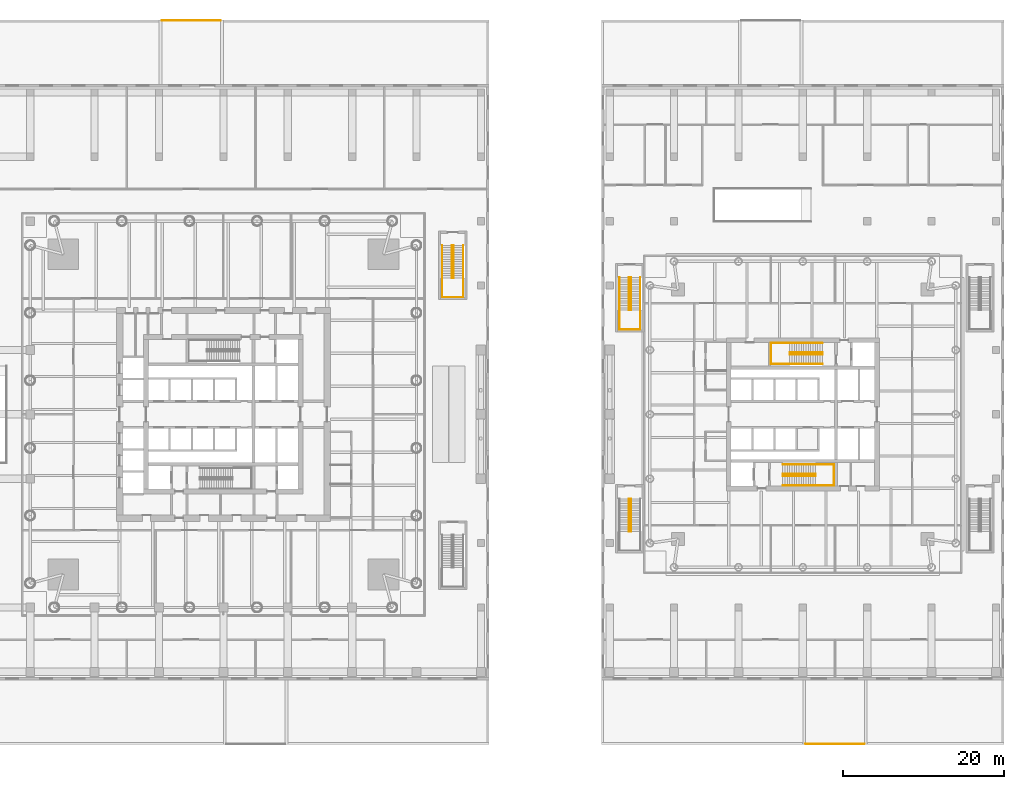
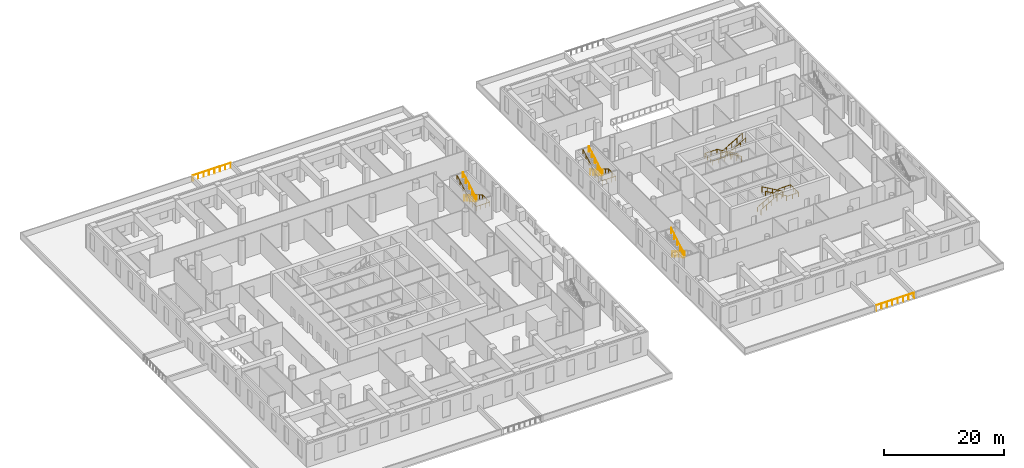
# One storey, part 24 of 26: 11 railings.
"""IFC4 building model written with IfcOpenShell, lengths in metres."""

from ifc_helpers import new_model, si_unit, direction, frame, origin, origin_2d, place, context, subcontext, project, spatial, circle, extrude, material, type_object, element, save


model = new_model("IFC4")

# Units and contexts
model_context = context("Model", 3, precision=1e-05, world=origin(), true_north=direction((0.0, 1.0)))
body_context = subcontext(model_context, "Body", "Model", "MODEL_VIEW")
ifc_project = project(units=[si_unit("LENGTHUNIT", "METRE"), si_unit("AREAUNIT", "SQUARE_METRE"), si_unit("VOLUMEUNIT", "CUBIC_METRE"), si_unit("PLANEANGLEUNIT", "RADIAN"), si_unit("MASSUNIT", "GRAM", prefix="KILO")], contexts=[model_context])

# Site, building, storey
site_placement = place(None, origin())
site = spatial("IfcSite", under=ifc_project, at=site_placement, CompositionType="ELEMENT")
building_placement = place(site_placement, origin())
building = spatial("IfcBuilding", under=site, at=building_placement, Name="Ostroluk Exchange", CompositionType="ELEMENT")
storey_placement = place(building_placement, frame((0.0, 0.0, 6.0)))
storey = spatial("IfcBuildingStorey", under=building, at=storey_placement, Name="L01", CompositionType="ELEMENT", Elevation=6.0)

# Railings
ifc_material_1 = material(Name="Stainless steel", Category="steel")
railing_type_1 = type_object("IfcRailingType", Name="Guard 1100 stainless steel", PredefinedType="GUARDRAIL", material=ifc_material_1)
railing_1_placement = place(storey_placement, frame((37.35205078125, 94.949951171875, 0.0)))
element("IfcRailing", 1, at=railing_1_placement, inside=storey, type_object=railing_type_1, Name="Terrace guard L01 1.1", PredefinedType="GUARDRAIL", context=body_context, shape_type="SweptSolid", body=[
    extrude(circle(Radius=0.02392578125, at=origin_2d()), frame((0.0, 0.0, 1.076171875), z_axis=(1.0, 0.0, 0.0), x_axis=(0.0, 1.0, 0.0)), (0.0, 0.0, 1.0), 7.2958984375),
    extrude(circle(Radius=0.02099609375, at=origin_2d()), origin(), (0.0, 0.0, 1.0), 1.052001953125),
    extrude(circle(Radius=0.02099609375, at=origin_2d()), frame((1.042236328125, 0.0, 0.0)), (0.0, 0.0, 1.0), 1.052001953125),
    extrude(circle(Radius=0.02099609375, at=origin_2d()), frame((2.08447265625, 0.0, 0.0)), (0.0, 0.0, 1.0), 1.052001953125),
    extrude(circle(Radius=0.02099609375, at=origin_2d()), frame((3.126708984375, 0.0, 0.0)), (0.0, 0.0, 1.0), 1.052001953125),
    extrude(circle(Radius=0.02099609375, at=origin_2d()), frame((4.169189453125, 0.0, 0.0)), (0.0, 0.0, 1.0), 1.052001953125),
    extrude(circle(Radius=0.02099609375, at=origin_2d()), frame((5.21142578125, 0.0, 0.0)), (0.0, 0.0, 1.0), 1.052001953125),
    extrude(circle(Radius=0.02099609375, at=origin_2d()), frame((6.253662109375, 0.0, 0.0)), (0.0, 0.0, 1.0), 1.052001953125),
    extrude(circle(Radius=0.02099609375, at=origin_2d()), frame((7.2958984375, 0.0, 0.0)), (0.0, 0.0, 1.0), 1.052001953125),
])
railing_2_placement = place(storey_placement, frame((124.64794921875, 5.050048828125, 0.0)))
element("IfcRailing", 2, at=railing_2_placement, inside=storey, type_object=railing_type_1, Name="Terrace guard L01 1.1", PredefinedType="GUARDRAIL", context=body_context, shape_type="SweptSolid", body=[
    extrude(circle(Radius=0.02392578125, at=origin_2d()), frame((0.0, 0.0, 1.076171875), z_axis=(-1.0, 0.0, 0.0), x_axis=(0.0, -1.0, 0.0)), (0.0, 0.0, 1.0), 7.2958984375),
    extrude(circle(Radius=0.02099609375, at=origin_2d()), origin(), (0.0, 0.0, 1.0), 1.052001953125),
    extrude(circle(Radius=0.02099609375, at=origin_2d()), frame((-1.042236328125, 0.0, 0.0)), (0.0, 0.0, 1.0), 1.052001953125),
    extrude(circle(Radius=0.02099609375, at=origin_2d()), frame((-2.08447265625, 0.0, 0.0)), (0.0, 0.0, 1.0), 1.052001953125),
    extrude(circle(Radius=0.02099609375, at=origin_2d()), frame((-3.126708984375, 0.0, 0.0)), (0.0, 0.0, 1.0), 1.052001953125),
    extrude(circle(Radius=0.02099609375, at=origin_2d()), frame((-4.169189453125, 0.0, 0.0)), (0.0, 0.0, 1.0), 1.052001953125),
    extrude(circle(Radius=0.02099609375, at=origin_2d()), frame((-5.21142578125, 0.0, 0.0)), (0.0, 0.0, 1.0), 1.052001953125),
    extrude(circle(Radius=0.02099609375, at=origin_2d()), frame((-6.253662109375, 0.0, 0.0)), (0.0, 0.0, 1.0), 1.052001953125),
    extrude(circle(Radius=0.02099609375, at=origin_2d()), frame((-7.2958984375, 0.0, 0.0)), (0.0, 0.0, 1.0), 1.052001953125),
])
ifc_material_2 = material(Name="Steel S355", Category="steel")
railing_type_2 = type_object("IfcRailingType", Name="Stair guard 1100", PredefinedType="GUARDRAIL", material=ifc_material_2)
railing_3_placement = place(storey_placement, frame((114.5, 38.580078125, 0.166748046875)))
element("IfcRailing", 3, at=railing_3_placement, inside=storey, type_object=railing_type_2, Name="Stair T2-S1 guard L01", PredefinedType="GUARDRAIL", context=body_context, shape_type="SweptSolid", body=[
    extrude(circle(Radius=0.02392578125, at=origin_2d()), frame((0.0, 0.0, 1.076171875), z_axis=(0.867024558463, 0.0, 0.498265406207), x_axis=(0.0, 1.0, 0.0)), (0.0, 0.0, 1.0), 4.682861328125),
    extrude(circle(Radius=0.02392578125, at=origin_2d()), frame((4.06005859375, 0.0, 3.4091796875), z_axis=(0.0, -1.0, 0.0), x_axis=(1.0, 0.0, 0.0)), (0.0, 0.0, 1.0), 0.260009765625),
    extrude(circle(Radius=0.02392578125, at=origin_2d()), frame((4.06005859375, -0.260009765625, 3.4091796875), z_axis=(0.0, 0.0, 1.0), x_axis=(1.0, 0.0, 0.0)), (0.0, 0.0, 1.0), 0.166748046875),
    extrude(circle(Radius=0.02392578125, at=origin_2d()), frame((4.06005859375, -0.260009765625, 3.576171875), z_axis=(-0.867024558463, 0.0, 0.498265406207), x_axis=(0.0, -1.0, 0.0)), (0.0, 0.0, 1.0), 4.682861328125),
    extrude(circle(Radius=0.02099609375, at=origin_2d()), origin(), (0.0, 0.0, 1.0), 1.052001953125),
    extrude(circle(Radius=0.02099609375, at=origin_2d()), frame((1.01513671875, 0.0, 0.583251953125)), (0.0, 0.0, 1.0), 1.052001953125),
    extrude(circle(Radius=0.02099609375, at=origin_2d()), frame((2.030029296875, 0.0, 1.16650390625)), (0.0, 0.0, 1.0), 1.052001953125),
    extrude(circle(Radius=0.02099609375, at=origin_2d()), frame((3.044921875, 0.0, 1.75)), (0.0, 0.0, 1.0), 1.052001953125),
    extrude(circle(Radius=0.02099609375, at=origin_2d()), frame((4.06005859375, 0.0, 2.333251953125)), (0.0, 0.0, 1.0), 1.052001953125),
    extrude(circle(Radius=0.02099609375, at=origin_2d()), frame((4.06005859375, -0.260009765625, 2.333251953125)), (0.0, 0.0, 1.0), 1.052001953125),
    extrude(circle(Radius=0.02099609375, at=origin_2d()), frame((4.06005859375, -0.260009765625, 2.5)), (0.0, 0.0, 1.0), 1.052001953125),
    extrude(circle(Radius=0.02099609375, at=origin_2d()), frame((3.044921875, -0.260009765625, 3.083251953125)), (0.0, 0.0, 1.0), 1.052001953125),
    extrude(circle(Radius=0.02099609375, at=origin_2d()), frame((2.030029296875, -0.260009765625, 3.66650390625)), (0.0, 0.0, 1.0), 1.052001953125),
    extrude(circle(Radius=0.02099609375, at=origin_2d()), frame((1.01513671875, -0.260009765625, 4.25)), (0.0, 0.0, 1.0), 1.052001953125),
    extrude(circle(Radius=0.02099609375, at=origin_2d()), frame((0.0, -0.260009765625, 4.833251953125)), (0.0, 0.0, 1.0), 1.052001953125),
])
railing_4_placement = place(storey_placement, frame((119.429931640625, 53.679931640625, 0.166748046875)))
element("IfcRailing", 4, at=railing_4_placement, inside=storey, type_object=railing_type_2, Name="Stair T2-S2 guard L01", PredefinedType="GUARDRAIL", context=body_context, shape_type="SweptSolid", body=[
    extrude(circle(Radius=0.02392578125, at=origin_2d()), frame((0.0, 0.0, 1.076171875), z_axis=(-0.86701161382, 0.0, 0.498287930319), x_axis=(0.0, -1.0, 0.0)), (0.0, 0.0, 1.0), 4.6826171875),
    extrude(circle(Radius=0.02392578125, at=origin_2d()), frame((-4.059814453125, 0.0, 3.4091796875), z_axis=(0.0, -1.0, 0.0), x_axis=(1.0, 0.0, 0.0)), (0.0, 0.0, 1.0), 0.260009765625),
    extrude(circle(Radius=0.02392578125, at=origin_2d()), frame((-4.059814453125, -0.260009765625, 3.4091796875), z_axis=(0.0, 0.0, 1.0), x_axis=(1.0, 0.0, 0.0)), (0.0, 0.0, 1.0), 0.166748046875),
    extrude(circle(Radius=0.02392578125, at=origin_2d()), frame((-4.059814453125, -0.260009765625, 3.576171875), z_axis=(0.86701161382, 0.0, 0.498287930319), x_axis=(0.0, 1.0, 0.0)), (0.0, 0.0, 1.0), 4.6826171875),
    extrude(circle(Radius=0.02099609375, at=origin_2d()), origin(), (0.0, 0.0, 1.0), 1.052001953125),
    extrude(circle(Radius=0.02099609375, at=origin_2d()), frame((-1.014892578125, 0.0, 0.583251953125)), (0.0, 0.0, 1.0), 1.052001953125),
    extrude(circle(Radius=0.02099609375, at=origin_2d()), frame((-2.02978515625, 0.0, 1.16650390625)), (0.0, 0.0, 1.0), 1.052001953125),
    extrude(circle(Radius=0.02099609375, at=origin_2d()), frame((-3.044921875, 0.0, 1.75)), (0.0, 0.0, 1.0), 1.052001953125),
    extrude(circle(Radius=0.02099609375, at=origin_2d()), frame((-4.059814453125, 0.0, 2.333251953125)), (0.0, 0.0, 1.0), 1.052001953125),
    extrude(circle(Radius=0.02099609375, at=origin_2d()), frame((-4.059814453125, -0.260009765625, 2.333251953125)), (0.0, 0.0, 1.0), 1.052001953125),
    extrude(circle(Radius=0.02099609375, at=origin_2d()), frame((-4.059814453125, -0.260009765625, 2.5)), (0.0, 0.0, 1.0), 1.052001953125),
    extrude(circle(Radius=0.02099609375, at=origin_2d()), frame((-3.044921875, -0.260009765625, 3.083251953125)), (0.0, 0.0, 1.0), 1.052001953125),
    extrude(circle(Radius=0.02099609375, at=origin_2d()), frame((-2.02978515625, -0.260009765625, 3.66650390625)), (0.0, 0.0, 1.0), 1.052001953125),
    extrude(circle(Radius=0.02099609375, at=origin_2d()), frame((-1.014892578125, -0.260009765625, 4.25)), (0.0, 0.0, 1.0), 1.052001953125),
    extrude(circle(Radius=0.02099609375, at=origin_2d()), frame((0.0, -0.260009765625, 4.833251953125)), (0.0, 0.0, 1.0), 1.052001953125),
])
railing_5_placement = place(storey_placement, frame((73.6298828125, 67.0, 0.166748046875)))
element("IfcRailing", 5, at=railing_5_placement, inside=storey, type_object=railing_type_2, Name="Stair PS4 guard L01", PredefinedType="GUARDRAIL", context=body_context, shape_type="SweptSolid", body=[
    extrude(circle(Radius=0.02392578125, at=origin_2d()), frame((0.0, 0.0, 1.076171875), z_axis=(0.0, -0.867024558463, 0.498265406207), x_axis=(1.0, 0.0, 0.0)), (0.0, 0.0, 1.0), 4.682861328125),
    extrude(circle(Radius=0.02392578125, at=origin_2d()), frame((0.0, -4.06005859375, 3.4091796875), z_axis=(-1.0, 0.0, 0.0), x_axis=(0.0, -1.0, 0.0)), (0.0, 0.0, 1.0), 0.259765625),
    extrude(circle(Radius=0.02392578125, at=origin_2d()), frame((-0.259765625, -4.06005859375, 3.4091796875), z_axis=(0.0, 0.0, 1.0), x_axis=(1.0, 0.0, 0.0)), (0.0, 0.0, 1.0), 0.166748046875),
    extrude(circle(Radius=0.02392578125, at=origin_2d()), frame((-0.259765625, -4.06005859375, 3.576171875), z_axis=(0.0, 0.867024558463, 0.498265406207), x_axis=(-1.0, 0.0, 0.0)), (0.0, 0.0, 1.0), 4.682861328125),
    extrude(circle(Radius=0.02099609375, at=origin_2d()), origin(), (0.0, 0.0, 1.0), 1.052001953125),
    extrude(circle(Radius=0.02099609375, at=origin_2d()), frame((0.0, -1.01513671875, 0.583251953125)), (0.0, 0.0, 1.0), 1.052001953125),
    extrude(circle(Radius=0.02099609375, at=origin_2d()), frame((0.0, -2.030029296875, 1.16650390625)), (0.0, 0.0, 1.0), 1.052001953125),
    extrude(circle(Radius=0.02099609375, at=origin_2d()), frame((0.0, -3.044921875, 1.75)), (0.0, 0.0, 1.0), 1.052001953125),
    extrude(circle(Radius=0.02099609375, at=origin_2d()), frame((0.0, -4.06005859375, 2.333251953125)), (0.0, 0.0, 1.0), 1.052001953125),
    extrude(circle(Radius=0.02099609375, at=origin_2d()), frame((-0.259765625, -4.06005859375, 2.333251953125)), (0.0, 0.0, 1.0), 1.052001953125),
    extrude(circle(Radius=0.02099609375, at=origin_2d()), frame((-0.259765625, -4.06005859375, 2.5)), (0.0, 0.0, 1.0), 1.052001953125),
    extrude(circle(Radius=0.02099609375, at=origin_2d()), frame((-0.259765625, -3.044921875, 3.083251953125)), (0.0, 0.0, 1.0), 1.052001953125),
    extrude(circle(Radius=0.02099609375, at=origin_2d()), frame((-0.259765625, -2.030029296875, 3.66650390625)), (0.0, 0.0, 1.0), 1.052001953125),
    extrude(circle(Radius=0.02099609375, at=origin_2d()), frame((-0.259765625, -1.01513671875, 4.25)), (0.0, 0.0, 1.0), 1.052001953125),
    extrude(circle(Radius=0.02099609375, at=origin_2d()), frame((-0.259765625, 0.0, 4.833251953125)), (0.0, 0.0, 1.0), 1.052001953125),
])
railing_6_placement = place(storey_placement, frame((95.6298828125, 35.5, 0.166748046875)))
element("IfcRailing", 6, at=railing_6_placement, inside=storey, type_object=railing_type_2, Name="Stair PS5 guard L01", PredefinedType="GUARDRAIL", context=body_context, shape_type="SweptSolid", body=[
    extrude(circle(Radius=0.02392578125, at=origin_2d()), frame((0.0, 0.0, 1.076171875), z_axis=(0.0, -0.867024558463, 0.498265406207), x_axis=(1.0, 0.0, 0.0)), (0.0, 0.0, 1.0), 4.682861328125),
    extrude(circle(Radius=0.02392578125, at=origin_2d()), frame((0.0, -4.06005859375, 3.4091796875), z_axis=(-1.0, 0.0, 0.0), x_axis=(0.0, -1.0, 0.0)), (0.0, 0.0, 1.0), 0.259765625),
    extrude(circle(Radius=0.02392578125, at=origin_2d()), frame((-0.259765625, -4.06005859375, 3.4091796875), z_axis=(0.0, 0.0, 1.0), x_axis=(1.0, 0.0, 0.0)), (0.0, 0.0, 1.0), 0.166748046875),
    extrude(circle(Radius=0.02392578125, at=origin_2d()), frame((-0.259765625, -4.06005859375, 3.576171875), z_axis=(0.0, 0.867024558463, 0.498265406207), x_axis=(-1.0, 0.0, 0.0)), (0.0, 0.0, 1.0), 4.682861328125),
    extrude(circle(Radius=0.02099609375, at=origin_2d()), origin(), (0.0, 0.0, 1.0), 1.052001953125),
    extrude(circle(Radius=0.02099609375, at=origin_2d()), frame((0.0, -1.01513671875, 0.583251953125)), (0.0, 0.0, 1.0), 1.052001953125),
    extrude(circle(Radius=0.02099609375, at=origin_2d()), frame((0.0, -2.030029296875, 1.16650390625)), (0.0, 0.0, 1.0), 1.052001953125),
    extrude(circle(Radius=0.02099609375, at=origin_2d()), frame((0.0, -3.044921875, 1.75)), (0.0, 0.0, 1.0), 1.052001953125),
    extrude(circle(Radius=0.02099609375, at=origin_2d()), frame((0.0, -4.06005859375, 2.333251953125)), (0.0, 0.0, 1.0), 1.052001953125),
    extrude(circle(Radius=0.02099609375, at=origin_2d()), frame((-0.259765625, -4.06005859375, 2.333251953125)), (0.0, 0.0, 1.0), 1.052001953125),
    extrude(circle(Radius=0.02099609375, at=origin_2d()), frame((-0.259765625, -4.06005859375, 2.5)), (0.0, 0.0, 1.0), 1.052001953125),
    extrude(circle(Radius=0.02099609375, at=origin_2d()), frame((-0.259765625, -3.044921875, 3.083251953125)), (0.0, 0.0, 1.0), 1.052001953125),
    extrude(circle(Radius=0.02099609375, at=origin_2d()), frame((-0.259765625, -2.030029296875, 3.66650390625)), (0.0, 0.0, 1.0), 1.052001953125),
    extrude(circle(Radius=0.02099609375, at=origin_2d()), frame((-0.259765625, -1.01513671875, 4.25)), (0.0, 0.0, 1.0), 1.052001953125),
    extrude(circle(Radius=0.02099609375, at=origin_2d()), frame((-0.259765625, 0.0, 4.833251953125)), (0.0, 0.0, 1.0), 1.052001953125),
])
railing_7_placement = place(storey_placement, frame((95.6298828125, 63.0, 0.166748046875)))
element("IfcRailing", 7, at=railing_7_placement, inside=storey, type_object=railing_type_2, Name="Stair PS6 guard L01", PredefinedType="GUARDRAIL", context=body_context, shape_type="SweptSolid", body=[
    extrude(circle(Radius=0.02392578125, at=origin_2d()), frame((0.0, 0.0, 1.076171875), z_axis=(0.0, -0.867024558463, 0.498265406207), x_axis=(1.0, 0.0, 0.0)), (0.0, 0.0, 1.0), 4.682861328125),
    extrude(circle(Radius=0.02392578125, at=origin_2d()), frame((0.0, -4.06005859375, 3.4091796875), z_axis=(-1.0, 0.0, 0.0), x_axis=(0.0, -1.0, 0.0)), (0.0, 0.0, 1.0), 0.259765625),
    extrude(circle(Radius=0.02392578125, at=origin_2d()), frame((-0.259765625, -4.06005859375, 3.4091796875), z_axis=(0.0, 0.0, 1.0), x_axis=(1.0, 0.0, 0.0)), (0.0, 0.0, 1.0), 0.166748046875),
    extrude(circle(Radius=0.02392578125, at=origin_2d()), frame((-0.259765625, -4.06005859375, 3.576171875), z_axis=(0.0, 0.867024558463, 0.498265406207), x_axis=(-1.0, 0.0, 0.0)), (0.0, 0.0, 1.0), 4.682861328125),
    extrude(circle(Radius=0.02099609375, at=origin_2d()), origin(), (0.0, 0.0, 1.0), 1.052001953125),
    extrude(circle(Radius=0.02099609375, at=origin_2d()), frame((0.0, -1.01513671875, 0.583251953125)), (0.0, 0.0, 1.0), 1.052001953125),
    extrude(circle(Radius=0.02099609375, at=origin_2d()), frame((0.0, -2.030029296875, 1.16650390625)), (0.0, 0.0, 1.0), 1.052001953125),
    extrude(circle(Radius=0.02099609375, at=origin_2d()), frame((0.0, -3.044921875, 1.75)), (0.0, 0.0, 1.0), 1.052001953125),
    extrude(circle(Radius=0.02099609375, at=origin_2d()), frame((0.0, -4.06005859375, 2.333251953125)), (0.0, 0.0, 1.0), 1.052001953125),
    extrude(circle(Radius=0.02099609375, at=origin_2d()), frame((-0.259765625, -4.06005859375, 2.333251953125)), (0.0, 0.0, 1.0), 1.052001953125),
    extrude(circle(Radius=0.02099609375, at=origin_2d()), frame((-0.259765625, -4.06005859375, 2.5)), (0.0, 0.0, 1.0), 1.052001953125),
    extrude(circle(Radius=0.02099609375, at=origin_2d()), frame((-0.259765625, -3.044921875, 3.083251953125)), (0.0, 0.0, 1.0), 1.052001953125),
    extrude(circle(Radius=0.02099609375, at=origin_2d()), frame((-0.259765625, -2.030029296875, 3.66650390625)), (0.0, 0.0, 1.0), 1.052001953125),
    extrude(circle(Radius=0.02099609375, at=origin_2d()), frame((-0.259765625, -1.01513671875, 4.25)), (0.0, 0.0, 1.0), 1.052001953125),
    extrude(circle(Radius=0.02099609375, at=origin_2d()), frame((-0.259765625, 0.0, 4.833251953125)), (0.0, 0.0, 1.0), 1.052001953125),
])
ifc_material_3 = material(Name="Stainless steel", Category="steel")
railing_type_3 = type_object("IfcRailingType", Name="Stair handrail 900", PredefinedType="HANDRAIL", material=ifc_material_3)
railing_8_placement = place(storey_placement, frame((114.5, 39.75, 0.166748046875)))
element("IfcRailing", 8, at=railing_8_placement, inside=storey, type_object=railing_type_3, Name="Stair T2-S1 handrail L01", PredefinedType="HANDRAIL", context=body_context, shape_type="SweptSolid", body=[
    extrude(circle(Radius=0.02392578125, at=origin_2d()), frame((0.0, 0.0, 0.8759765625), z_axis=(0.867024558463, 0.0, 0.498265406207), x_axis=(0.0, 1.0, 0.0)), (0.0, 0.0, 1.0), 4.682861328125),
    extrude(circle(Radius=0.02392578125, at=origin_2d()), frame((4.06005859375, 0.0, 3.208984375), z_axis=(1.0, 0.0, 0.0), x_axis=(0.0, 1.0, 0.0)), (0.0, 0.0, 1.0), 2.31982421875),
    extrude(circle(Radius=0.02392578125, at=origin_2d()), frame((6.3798828125, 0.0, 3.208984375), z_axis=(0.0, -1.0, 0.0), x_axis=(1.0, 0.0, 0.0)), (0.0, 0.0, 1.0), 2.60009765625),
    extrude(circle(Radius=0.02392578125, at=origin_2d()), frame((6.3798828125, -2.60009765625, 3.208984375), z_axis=(-1.0, 0.0, 0.0), x_axis=(0.0, -1.0, 0.0)), (0.0, 0.0, 1.0), 2.31982421875),
    extrude(circle(Radius=0.02392578125, at=origin_2d()), frame((4.06005859375, -2.60009765625, 3.208984375), z_axis=(0.0, 0.0, 1.0), x_axis=(1.0, 0.0, 0.0)), (0.0, 0.0, 1.0), 0.166748046875),
    extrude(circle(Radius=0.02392578125, at=origin_2d()), frame((4.06005859375, -2.60009765625, 3.3759765625), z_axis=(-0.867024558463, 0.0, 0.498265406207), x_axis=(0.0, -1.0, 0.0)), (0.0, 0.0, 1.0), 4.682861328125),
    extrude(circle(Radius=0.02099609375, at=origin_2d()), origin(), (0.0, 0.0, 1.0), 0.851806640625),
    extrude(circle(Radius=0.02099609375, at=origin_2d()), frame((1.01513671875, 0.0, 0.583251953125)), (0.0, 0.0, 1.0), 0.851806640625),
    extrude(circle(Radius=0.02099609375, at=origin_2d()), frame((2.030029296875, 0.0, 1.16650390625)), (0.0, 0.0, 1.0), 0.851806640625),
    extrude(circle(Radius=0.02099609375, at=origin_2d()), frame((3.044921875, 0.0, 1.75)), (0.0, 0.0, 1.0), 0.851806640625),
    extrude(circle(Radius=0.02099609375, at=origin_2d()), frame((4.06005859375, 0.0, 2.333251953125)), (0.0, 0.0, 1.0), 0.851806640625),
    extrude(circle(Radius=0.02099609375, at=origin_2d()), frame((5.219970703125, 0.0, 2.333251953125)), (0.0, 0.0, 1.0), 0.851806640625),
    extrude(circle(Radius=0.02099609375, at=origin_2d()), frame((6.3798828125, 0.0, 2.333251953125)), (0.0, 0.0, 1.0), 0.851806640625),
    extrude(circle(Radius=0.02099609375, at=origin_2d()), frame((6.3798828125, -0.86669921875, 2.333251953125)), (0.0, 0.0, 1.0), 0.851806640625),
    extrude(circle(Radius=0.02099609375, at=origin_2d()), frame((6.3798828125, -1.7333984375, 2.333251953125)), (0.0, 0.0, 1.0), 0.851806640625),
    extrude(circle(Radius=0.02099609375, at=origin_2d()), frame((6.3798828125, -2.60009765625, 2.333251953125)), (0.0, 0.0, 1.0), 0.851806640625),
    extrude(circle(Radius=0.02099609375, at=origin_2d()), frame((5.219970703125, -2.60009765625, 2.333251953125)), (0.0, 0.0, 1.0), 0.851806640625),
    extrude(circle(Radius=0.02099609375, at=origin_2d()), frame((4.06005859375, -2.60009765625, 2.333251953125)), (0.0, 0.0, 1.0), 0.851806640625),
    extrude(circle(Radius=0.02099609375, at=origin_2d()), frame((4.06005859375, -2.60009765625, 2.5)), (0.0, 0.0, 1.0), 0.851806640625),
    extrude(circle(Radius=0.02099609375, at=origin_2d()), frame((3.044921875, -2.60009765625, 3.083251953125)), (0.0, 0.0, 1.0), 0.851806640625),
    extrude(circle(Radius=0.02099609375, at=origin_2d()), frame((2.030029296875, -2.60009765625, 3.66650390625)), (0.0, 0.0, 1.0), 0.851806640625),
    extrude(circle(Radius=0.02099609375, at=origin_2d()), frame((1.01513671875, -2.60009765625, 4.25)), (0.0, 0.0, 1.0), 0.851806640625),
    extrude(circle(Radius=0.02099609375, at=origin_2d()), frame((0.0, -2.60009765625, 4.833251953125)), (0.0, 0.0, 1.0), 0.851806640625),
])
railing_9_placement = place(storey_placement, frame((119.429931640625, 54.85009765625, 0.166748046875)))
element("IfcRailing", 9, at=railing_9_placement, inside=storey, type_object=railing_type_3, Name="Stair T2-S2 handrail L01", PredefinedType="HANDRAIL", context=body_context, shape_type="SweptSolid", body=[
    extrude(circle(Radius=0.02392578125, at=origin_2d()), frame((0.0, 0.0, 0.8759765625), z_axis=(-0.86701161382, 0.0, 0.498287930319), x_axis=(0.0, -1.0, 0.0)), (0.0, 0.0, 1.0), 4.6826171875),
    extrude(circle(Radius=0.02392578125, at=origin_2d()), frame((-4.059814453125, 0.0, 3.208984375), z_axis=(-1.0, 0.0, 0.0), x_axis=(0.0, -1.0, 0.0)), (0.0, 0.0, 1.0), 2.320068359375),
    extrude(circle(Radius=0.02392578125, at=origin_2d()), frame((-6.3798828125, 0.0, 3.208984375), z_axis=(0.0, -1.0, 0.0), x_axis=(1.0, 0.0, 0.0)), (0.0, 0.0, 1.0), 2.60009765625),
    extrude(circle(Radius=0.02392578125, at=origin_2d()), frame((-6.3798828125, -2.60009765625, 3.208984375), z_axis=(1.0, 0.0, 0.0), x_axis=(0.0, 1.0, 0.0)), (0.0, 0.0, 1.0), 2.320068359375),
    extrude(circle(Radius=0.02392578125, at=origin_2d()), frame((-4.059814453125, -2.60009765625, 3.208984375), z_axis=(0.0, 0.0, 1.0), x_axis=(1.0, 0.0, 0.0)), (0.0, 0.0, 1.0), 0.166748046875),
    extrude(circle(Radius=0.02392578125, at=origin_2d()), frame((-4.059814453125, -2.60009765625, 3.3759765625), z_axis=(0.86701161382, 0.0, 0.498287930319), x_axis=(0.0, 1.0, 0.0)), (0.0, 0.0, 1.0), 4.6826171875),
    extrude(circle(Radius=0.02099609375, at=origin_2d()), origin(), (0.0, 0.0, 1.0), 0.851806640625),
    extrude(circle(Radius=0.02099609375, at=origin_2d()), frame((-1.014892578125, 0.0, 0.583251953125)), (0.0, 0.0, 1.0), 0.851806640625),
    extrude(circle(Radius=0.02099609375, at=origin_2d()), frame((-2.02978515625, 0.0, 1.16650390625)), (0.0, 0.0, 1.0), 0.851806640625),
    extrude(circle(Radius=0.02099609375, at=origin_2d()), frame((-3.044921875, 0.0, 1.75)), (0.0, 0.0, 1.0), 0.851806640625),
    extrude(circle(Radius=0.02099609375, at=origin_2d()), frame((-4.059814453125, 0.0, 2.333251953125)), (0.0, 0.0, 1.0), 0.851806640625),
    extrude(circle(Radius=0.02099609375, at=origin_2d()), frame((-5.2197265625, 0.0, 2.333251953125)), (0.0, 0.0, 1.0), 0.851806640625),
    extrude(circle(Radius=0.02099609375, at=origin_2d()), frame((-6.3798828125, 0.0, 2.333251953125)), (0.0, 0.0, 1.0), 0.851806640625),
    extrude(circle(Radius=0.02099609375, at=origin_2d()), frame((-6.3798828125, -0.86669921875, 2.333251953125)), (0.0, 0.0, 1.0), 0.851806640625),
    extrude(circle(Radius=0.02099609375, at=origin_2d()), frame((-6.3798828125, -1.7333984375, 2.333251953125)), (0.0, 0.0, 1.0), 0.851806640625),
    extrude(circle(Radius=0.02099609375, at=origin_2d()), frame((-6.3798828125, -2.60009765625, 2.333251953125)), (0.0, 0.0, 1.0), 0.851806640625),
    extrude(circle(Radius=0.02099609375, at=origin_2d()), frame((-5.2197265625, -2.60009765625, 2.333251953125)), (0.0, 0.0, 1.0), 0.851806640625),
    extrude(circle(Radius=0.02099609375, at=origin_2d()), frame((-4.059814453125, -2.60009765625, 2.333251953125)), (0.0, 0.0, 1.0), 0.851806640625),
    extrude(circle(Radius=0.02099609375, at=origin_2d()), frame((-4.059814453125, -2.60009765625, 2.5)), (0.0, 0.0, 1.0), 0.851806640625),
    extrude(circle(Radius=0.02099609375, at=origin_2d()), frame((-3.044921875, -2.60009765625, 3.083251953125)), (0.0, 0.0, 1.0), 0.851806640625),
    extrude(circle(Radius=0.02099609375, at=origin_2d()), frame((-2.02978515625, -2.60009765625, 3.66650390625)), (0.0, 0.0, 1.0), 0.851806640625),
    extrude(circle(Radius=0.02099609375, at=origin_2d()), frame((-1.014892578125, -2.60009765625, 4.25)), (0.0, 0.0, 1.0), 0.851806640625),
    extrude(circle(Radius=0.02099609375, at=origin_2d()), frame((0.0, -2.60009765625, 4.833251953125)), (0.0, 0.0, 1.0), 0.851806640625),
])
railing_10_placement = place(storey_placement, frame((74.800048828125, 67.0, 0.166748046875)))
element("IfcRailing", 10, at=railing_10_placement, inside=storey, type_object=railing_type_3, Name="Stair PS4 handrail L01", PredefinedType="HANDRAIL", context=body_context, shape_type="SweptSolid", body=[
    extrude(circle(Radius=0.02392578125, at=origin_2d()), frame((0.0, 0.0, 0.8759765625), z_axis=(0.0, -0.867024558463, 0.498265406207), x_axis=(1.0, 0.0, 0.0)), (0.0, 0.0, 1.0), 4.682861328125),
    extrude(circle(Radius=0.02392578125, at=origin_2d()), frame((0.0, -4.06005859375, 3.208984375), z_axis=(0.0, -1.0, 0.0), x_axis=(1.0, 0.0, 0.0)), (0.0, 0.0, 1.0), 2.389892578125),
    extrude(circle(Radius=0.02392578125, at=origin_2d()), frame((0.0, -6.449951171875, 3.208984375), z_axis=(-1.0, 0.0, 0.0), x_axis=(0.0, -1.0, 0.0)), (0.0, 0.0, 1.0), 2.60009765625),
    extrude(circle(Radius=0.02392578125, at=origin_2d()), frame((-2.60009765625, -6.449951171875, 3.208984375), z_axis=(0.0, 1.0, 0.0), x_axis=(-1.0, 0.0, 0.0)), (0.0, 0.0, 1.0), 2.389892578125),
    extrude(circle(Radius=0.02392578125, at=origin_2d()), frame((-2.60009765625, -4.06005859375, 3.208984375), z_axis=(0.0, 0.0, 1.0), x_axis=(1.0, 0.0, 0.0)), (0.0, 0.0, 1.0), 0.166748046875),
    extrude(circle(Radius=0.02392578125, at=origin_2d()), frame((-2.60009765625, -4.06005859375, 3.3759765625), z_axis=(0.0, 0.867024558463, 0.498265406207), x_axis=(-1.0, 0.0, 0.0)), (0.0, 0.0, 1.0), 4.682861328125),
    extrude(circle(Radius=0.02099609375, at=origin_2d()), origin(), (0.0, 0.0, 1.0), 0.851806640625),
    extrude(circle(Radius=0.02099609375, at=origin_2d()), frame((0.0, -1.01513671875, 0.583251953125)), (0.0, 0.0, 1.0), 0.851806640625),
    extrude(circle(Radius=0.02099609375, at=origin_2d()), frame((0.0, -2.030029296875, 1.16650390625)), (0.0, 0.0, 1.0), 0.851806640625),
    extrude(circle(Radius=0.02099609375, at=origin_2d()), frame((0.0, -3.044921875, 1.75)), (0.0, 0.0, 1.0), 0.851806640625),
    extrude(circle(Radius=0.02099609375, at=origin_2d()), frame((0.0, -4.06005859375, 2.333251953125)), (0.0, 0.0, 1.0), 0.851806640625),
    extrude(circle(Radius=0.02099609375, at=origin_2d()), frame((0.0, -5.2548828125, 2.333251953125)), (0.0, 0.0, 1.0), 0.851806640625),
    extrude(circle(Radius=0.02099609375, at=origin_2d()), frame((0.0, -6.449951171875, 2.333251953125)), (0.0, 0.0, 1.0), 0.851806640625),
    extrude(circle(Radius=0.02099609375, at=origin_2d()), frame((-0.86669921875, -6.449951171875, 2.333251953125)), (0.0, 0.0, 1.0), 0.851806640625),
    extrude(circle(Radius=0.02099609375, at=origin_2d()), frame((-1.7333984375, -6.449951171875, 2.333251953125)), (0.0, 0.0, 1.0), 0.851806640625),
    extrude(circle(Radius=0.02099609375, at=origin_2d()), frame((-2.60009765625, -6.449951171875, 2.333251953125)), (0.0, 0.0, 1.0), 0.851806640625),
    extrude(circle(Radius=0.02099609375, at=origin_2d()), frame((-2.60009765625, -5.2548828125, 2.333251953125)), (0.0, 0.0, 1.0), 0.851806640625),
    extrude(circle(Radius=0.02099609375, at=origin_2d()), frame((-2.60009765625, -4.06005859375, 2.333251953125)), (0.0, 0.0, 1.0), 0.851806640625),
    extrude(circle(Radius=0.02099609375, at=origin_2d()), frame((-2.60009765625, -4.06005859375, 2.5)), (0.0, 0.0, 1.0), 0.851806640625),
    extrude(circle(Radius=0.02099609375, at=origin_2d()), frame((-2.60009765625, -3.044921875, 3.083251953125)), (0.0, 0.0, 1.0), 0.851806640625),
    extrude(circle(Radius=0.02099609375, at=origin_2d()), frame((-2.60009765625, -2.030029296875, 3.66650390625)), (0.0, 0.0, 1.0), 0.851806640625),
    extrude(circle(Radius=0.02099609375, at=origin_2d()), frame((-2.60009765625, -1.01513671875, 4.25)), (0.0, 0.0, 1.0), 0.851806640625),
    extrude(circle(Radius=0.02099609375, at=origin_2d()), frame((-2.60009765625, 0.0, 4.833251953125)), (0.0, 0.0, 1.0), 0.851806640625),
])
railing_11_placement = place(storey_placement, frame((96.800048828125, 63.0, 0.166748046875)))
element("IfcRailing", 11, at=railing_11_placement, inside=storey, type_object=railing_type_3, Name="Stair PS6 handrail L01", PredefinedType="HANDRAIL", context=body_context, shape_type="SweptSolid", body=[
    extrude(circle(Radius=0.02392578125, at=origin_2d()), frame((0.0, 0.0, 0.8759765625), z_axis=(0.0, -0.867024558463, 0.498265406207), x_axis=(1.0, 0.0, 0.0)), (0.0, 0.0, 1.0), 4.682861328125),
    extrude(circle(Radius=0.02392578125, at=origin_2d()), frame((0.0, -4.06005859375, 3.208984375), z_axis=(0.0, -1.0, 0.0), x_axis=(1.0, 0.0, 0.0)), (0.0, 0.0, 1.0), 2.389892578125),
    extrude(circle(Radius=0.02392578125, at=origin_2d()), frame((0.0, -6.449951171875, 3.208984375), z_axis=(-1.0, 0.0, 0.0), x_axis=(0.0, -1.0, 0.0)), (0.0, 0.0, 1.0), 2.60009765625),
    extrude(circle(Radius=0.02392578125, at=origin_2d()), frame((-2.60009765625, -6.449951171875, 3.208984375), z_axis=(0.0, 1.0, 0.0), x_axis=(-1.0, 0.0, 0.0)), (0.0, 0.0, 1.0), 2.389892578125),
    extrude(circle(Radius=0.02392578125, at=origin_2d()), frame((-2.60009765625, -4.06005859375, 3.208984375), z_axis=(0.0, 0.0, 1.0), x_axis=(1.0, 0.0, 0.0)), (0.0, 0.0, 1.0), 0.166748046875),
    extrude(circle(Radius=0.02392578125, at=origin_2d()), frame((-2.60009765625, -4.06005859375, 3.3759765625), z_axis=(0.0, 0.867024558463, 0.498265406207), x_axis=(-1.0, 0.0, 0.0)), (0.0, 0.0, 1.0), 4.682861328125),
    extrude(circle(Radius=0.02099609375, at=origin_2d()), origin(), (0.0, 0.0, 1.0), 0.851806640625),
    extrude(circle(Radius=0.02099609375, at=origin_2d()), frame((0.0, -1.01513671875, 0.583251953125)), (0.0, 0.0, 1.0), 0.851806640625),
    extrude(circle(Radius=0.02099609375, at=origin_2d()), frame((0.0, -2.030029296875, 1.16650390625)), (0.0, 0.0, 1.0), 0.851806640625),
    extrude(circle(Radius=0.02099609375, at=origin_2d()), frame((0.0, -3.044921875, 1.75)), (0.0, 0.0, 1.0), 0.851806640625),
    extrude(circle(Radius=0.02099609375, at=origin_2d()), frame((0.0, -4.06005859375, 2.333251953125)), (0.0, 0.0, 1.0), 0.851806640625),
    extrude(circle(Radius=0.02099609375, at=origin_2d()), frame((0.0, -5.2548828125, 2.333251953125)), (0.0, 0.0, 1.0), 0.851806640625),
    extrude(circle(Radius=0.02099609375, at=origin_2d()), frame((0.0, -6.449951171875, 2.333251953125)), (0.0, 0.0, 1.0), 0.851806640625),
    extrude(circle(Radius=0.02099609375, at=origin_2d()), frame((-0.86669921875, -6.449951171875, 2.333251953125)), (0.0, 0.0, 1.0), 0.851806640625),
    extrude(circle(Radius=0.02099609375, at=origin_2d()), frame((-1.7333984375, -6.449951171875, 2.333251953125)), (0.0, 0.0, 1.0), 0.851806640625),
    extrude(circle(Radius=0.02099609375, at=origin_2d()), frame((-2.60009765625, -6.449951171875, 2.333251953125)), (0.0, 0.0, 1.0), 0.851806640625),
    extrude(circle(Radius=0.02099609375, at=origin_2d()), frame((-2.60009765625, -5.2548828125, 2.333251953125)), (0.0, 0.0, 1.0), 0.851806640625),
    extrude(circle(Radius=0.02099609375, at=origin_2d()), frame((-2.60009765625, -4.06005859375, 2.333251953125)), (0.0, 0.0, 1.0), 0.851806640625),
    extrude(circle(Radius=0.02099609375, at=origin_2d()), frame((-2.60009765625, -4.06005859375, 2.5)), (0.0, 0.0, 1.0), 0.851806640625),
    extrude(circle(Radius=0.02099609375, at=origin_2d()), frame((-2.60009765625, -3.044921875, 3.083251953125)), (0.0, 0.0, 1.0), 0.851806640625),
    extrude(circle(Radius=0.02099609375, at=origin_2d()), frame((-2.60009765625, -2.030029296875, 3.66650390625)), (0.0, 0.0, 1.0), 0.851806640625),
    extrude(circle(Radius=0.02099609375, at=origin_2d()), frame((-2.60009765625, -1.01513671875, 4.25)), (0.0, 0.0, 1.0), 0.851806640625),
    extrude(circle(Radius=0.02099609375, at=origin_2d()), frame((-2.60009765625, 0.0, 4.833251953125)), (0.0, 0.0, 1.0), 0.851806640625),
])

save(model, "model.ifc")
